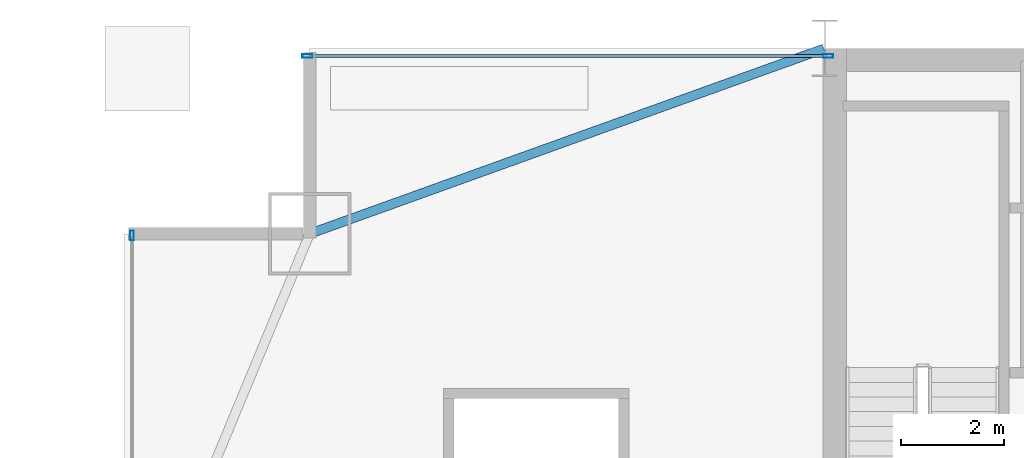
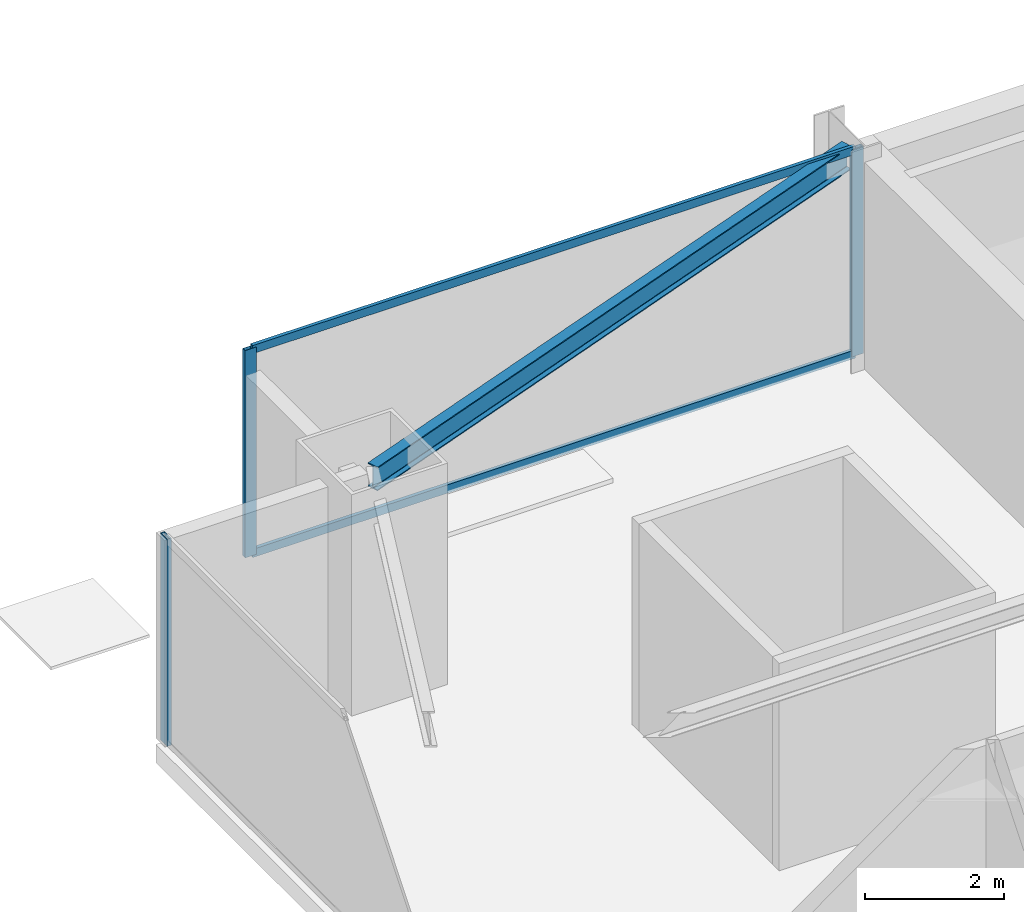
# One storey, part 19 of 34: 5 members, 1 beam, 2 elements without a shape of their own.
"""IFC4 building model written with IfcOpenShell, lengths in metres."""

from ifc_helpers import new_model, si_unit, direction, frame, origin, origin_2d, place, context, subcontext, project, spatial, hollow_rectangle, i_section, extrude, source, transform, mapped, material, layer, layer_set, material_profile, profile_set, type_object, type_shapes, element, aggregate, save


model = new_model("IFC4")

# Units and contexts
model_context = context("Model", 3, precision=1e-05, world=origin(), true_north=direction((0.0, 1.0)))
body_context = subcontext(model_context, "Body", "Model", "MODEL_VIEW")
ifc_project = project(units=[si_unit("LENGTHUNIT", "METRE"), si_unit("AREAUNIT", "SQUARE_METRE"), si_unit("VOLUMEUNIT", "CUBIC_METRE"), si_unit("PLANEANGLEUNIT", "RADIAN"), si_unit("MASSUNIT", "GRAM", prefix="KILO")], contexts=[model_context])

# Site, building, storey
site_placement = place(None, origin())
site = spatial("IfcSite", under=ifc_project, at=site_placement, CompositionType="ELEMENT")
building_placement = place(site_placement, origin())
building = spatial("IfcBuilding", under=site, at=building_placement, Name="Varnel Quay Broadcast Tower", CompositionType="ELEMENT")
storey_placement = place(building_placement, frame((0.0, 0.0, 27.60009765625)))
storey = spatial("IfcBuildingStorey", under=building, at=storey_placement, Name="L05", CompositionType="ELEMENT", Elevation=27.60009765625)

# Beam
ifc_material_1 = material(Name="Structural Steel CSA G40.21 350W", Category="steel")
ifc_material_profile_1 = material_profile(ifc_material_1, i_section(OverallWidth=0.180908203125, OverallDepth=0.4169921875, WebThickness=0.010986328125, FlangeThickness=0.018310546875, FilletRadius=0.011962890625, at=origin_2d()), Name="W410X85")
ifc_profile_set_1 = profile_set([ifc_material_profile_1], Name="Structural Steel CSA G40.21 350W")
beam_type = type_object("IfcBeamType", Name="Beam_W410X85", PredefinedType="SPANDREL", material=ifc_profile_set_1)
shared_shape_1 = source(origin(), body_context, "Body", "SweptSolid", [
    extrude(i_section(OverallWidth=0.180908203125, OverallDepth=0.4169921875, WebThickness=0.010986328125, FlangeThickness=0.018310546875, FilletRadius=0.011962890625, at=origin_2d()), origin(), (0.0, 0.0, 1.0), 10.58837890625),
])
type_shapes(beam_type, [shared_shape_1])
beam_placement = place(storey_placement, frame((5.618896484375, 43.206787109375, 3.44140625), z_axis=(0.940888587605, 0.338716202321, 0.0), x_axis=(-0.338716202321, 0.940888587605, 0.0)))
element("IfcBeam", 1, at=beam_placement, inside=storey, type_object=beam_type, Name="L05 NW Tie Spandrel", PredefinedType="SPANDREL", context=body_context, shape_type="MappedRepresentation", body=[
    mapped(shared_shape_1, transform((0.0, 0.0, 0.0), x_axis=(1.0, 0.0, 0.0), y_axis=(0.0, 1.0, 0.0), z_axis=(0.0, 0.0, 1.0), scale=1.0)),
])

# Curtain wall, member
ifc_material_2 = material(Name="Anodised Bronze Aluminium 6063-T6", Category="aluminium")
ifc_layer = layer(ifc_material_2, 0.18994140625, Name="Anodised Bronze Aluminium 6063-T6")
ifc_layer_set = layer_set([ifc_layer], Name="Anodised Bronze Aluminium 6063-T6")
curtain_wall_type = type_object("IfcCurtainWallType", Name="CW_LowerTower", PredefinedType="NOTDEFINED", material=ifc_layer_set)
curtain_wall_1_placement = place(storey_placement, origin())
curtain_wall_1 = element("IfcCurtainWall", 2, at=curtain_wall_1_placement, inside=storey, type_object=curtain_wall_type, Name="L05 West Unitised Curtain Wall", PredefinedType="NOTDEFINED")
ifc_material_profile_2 = material_profile(ifc_material_2, hollow_rectangle(XDim=0.070068359375, YDim=0.18994140625, WallThickness=0.00390625, at=origin_2d()), Name="ALU70X190X4")
ifc_profile_set_2 = profile_set([ifc_material_profile_2], Name="Anodised Bronze Aluminium 6063-T6")
member_type_1 = type_object("IfcMemberType", Name="Mull_CWS-02", PredefinedType="MULLION", material=ifc_profile_set_2)
shared_shape_2 = source(origin(), body_context, "Body", "SweptSolid", [
    extrude(hollow_rectangle(XDim=0.070068359375, YDim=0.18994140625, WallThickness=0.00390625, at=origin_2d()), origin(), (0.0, 0.0, 1.0), 3.64990234375),
])
type_shapes(member_type_1, [shared_shape_2])
member_1_placement = place(storey_placement, frame((2.14990234375, 43.1650390625, 0.0), z_axis=(0.0, 0.0, 1.0), x_axis=(-1.0, 0.0, 0.0)))
member_1 = element("IfcMember", 3, at=member_1_placement, type_object=member_type_1, Name="CWS-02 mullion 4", PredefinedType="MULLION", context=body_context, shape_type="MappedRepresentation", body=[
    mapped(shared_shape_2, transform((0.0, 0.0, 0.0), x_axis=(1.0, 0.0, 0.0), y_axis=(0.0, 1.0, 0.0), z_axis=(0.0, 0.0, 1.0), scale=1.0)),
])
aggregate(curtain_wall_1, [member_1])

# Curtain wall, members
curtain_wall_2_placement = place(storey_placement, origin())
curtain_wall_2 = element("IfcCurtainWall", 4, at=curtain_wall_2_placement, inside=storey, type_object=curtain_wall_type, Name="L05 NW Wing Curtain Wall", PredefinedType="NOTDEFINED")
member_2_placement = place(storey_placement, frame((5.554931640625, 46.64990234375, 0.0), z_axis=(0.0, 0.0, 1.0), x_axis=(0.0, 1.0, 0.0)))
member_2 = element("IfcMember", 5, at=member_2_placement, type_object=member_type_1, Name="CWS-02 mullion 1", PredefinedType="MULLION", context=body_context, shape_type="MappedRepresentation", body=[
    mapped(shared_shape_2, transform((0.0, 0.0, 0.0), x_axis=(1.0, 0.0, 0.0), y_axis=(0.0, 1.0, 0.0), z_axis=(0.0, 0.0, 1.0), scale=1.0)),
])
member_3_placement = place(storey_placement, frame((15.6650390625, 46.64990234375, 0.0), z_axis=(0.0, 0.0, 1.0), x_axis=(0.0, 1.0, 0.0)))
member_3 = element("IfcMember", 6, at=member_3_placement, type_object=member_type_1, Name="CWS-02 mullion 2", PredefinedType="MULLION", context=body_context, shape_type="MappedRepresentation", body=[
    mapped(shared_shape_2, transform((0.0, 0.0, 0.0), x_axis=(1.0, 0.0, 0.0), y_axis=(0.0, 1.0, 0.0), z_axis=(0.0, 0.0, 1.0), scale=1.0)),
])
ifc_material_profile_3 = material_profile(ifc_material_2, hollow_rectangle(XDim=0.06005859375, YDim=0.14501953125, WallThickness=0.00341796875, at=origin_2d()), Name="ALU60X145X3.5")
ifc_profile_set_3 = profile_set([ifc_material_profile_3], Name="Anodised Bronze Aluminium 6063-T6")
member_type_2 = type_object("IfcMemberType", Name="Tran_CWS-02", PredefinedType="USERDEFINED", material=ifc_profile_set_3)
shared_shape_3 = source(origin(), body_context, "Body", "SweptSolid", [
    extrude(hollow_rectangle(XDim=0.06005859375, YDim=0.14501953125, WallThickness=0.00341796875, at=origin_2d()), origin(), (0.0, 0.0, 1.0), 10.039794921875),
])
type_shapes(member_type_2, [shared_shape_3])
member_4_placement = place(storey_placement, frame((5.590087890625, 46.64990234375, 0.02978515625), z_axis=(1.0, 0.0, 0.0), x_axis=(0.0, 1.0, 0.0)))
member_4 = element("IfcMember", 7, at=member_4_placement, type_object=member_type_2, Name="CWS-02 transom 1.1", ObjectType="TRANSOM", PredefinedType="USERDEFINED", context=body_context, shape_type="MappedRepresentation", body=[
    mapped(shared_shape_3, transform((0.0, 0.0, 0.0), x_axis=(1.0, 0.0, 0.0), y_axis=(0.0, 1.0, 0.0), z_axis=(0.0, 0.0, 1.0), scale=1.0)),
])
member_5_placement = place(storey_placement, frame((5.590087890625, 46.64990234375, 3.619873046875), z_axis=(1.0, 0.0, 0.0), x_axis=(0.0, 1.0, 0.0)))
member_5 = element("IfcMember", 8, at=member_5_placement, type_object=member_type_2, Name="CWS-02 transom 1.2", ObjectType="TRANSOM", PredefinedType="USERDEFINED", context=body_context, shape_type="MappedRepresentation", body=[
    mapped(shared_shape_3, transform((0.0, 0.0, 0.0), x_axis=(1.0, 0.0, 0.0), y_axis=(0.0, 1.0, 0.0), z_axis=(0.0, 0.0, 1.0), scale=1.0)),
])
aggregate(curtain_wall_2, [member_2, member_3, member_4, member_5])

save(model, "model.ifc")
